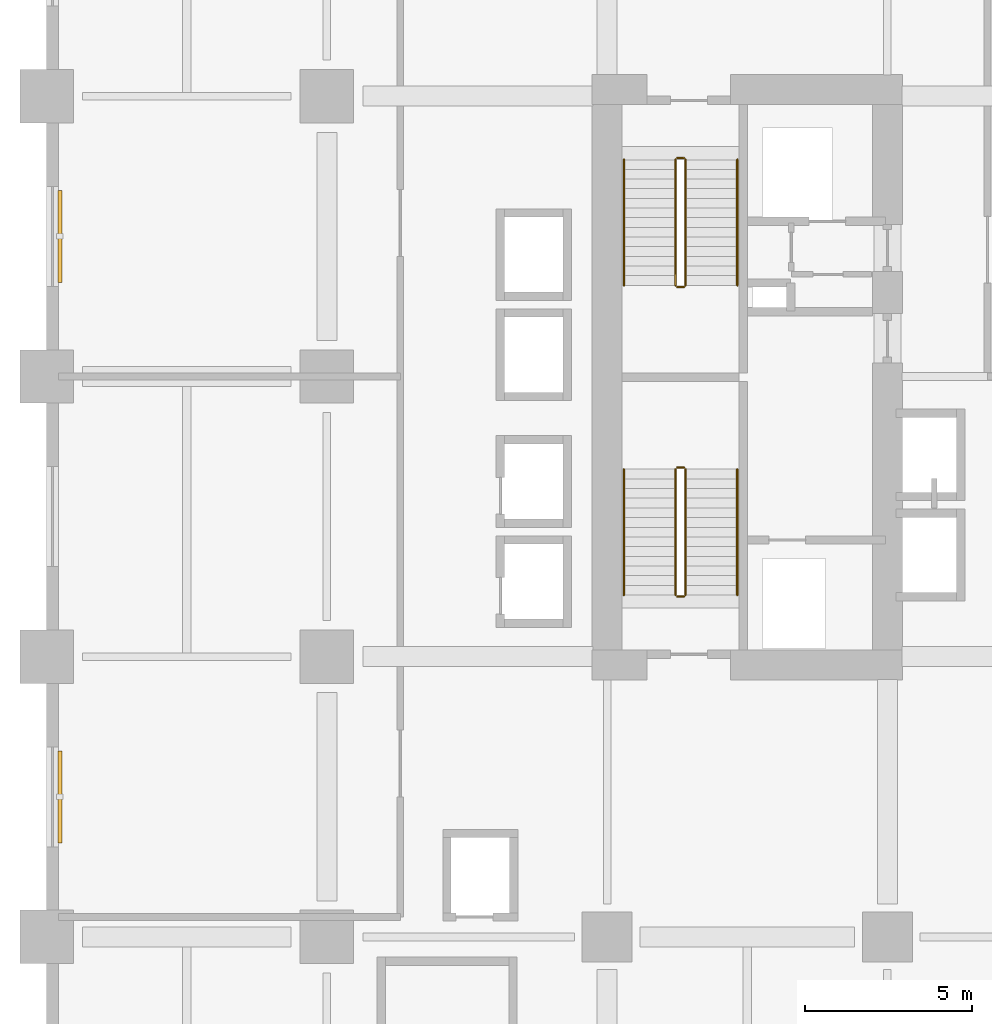
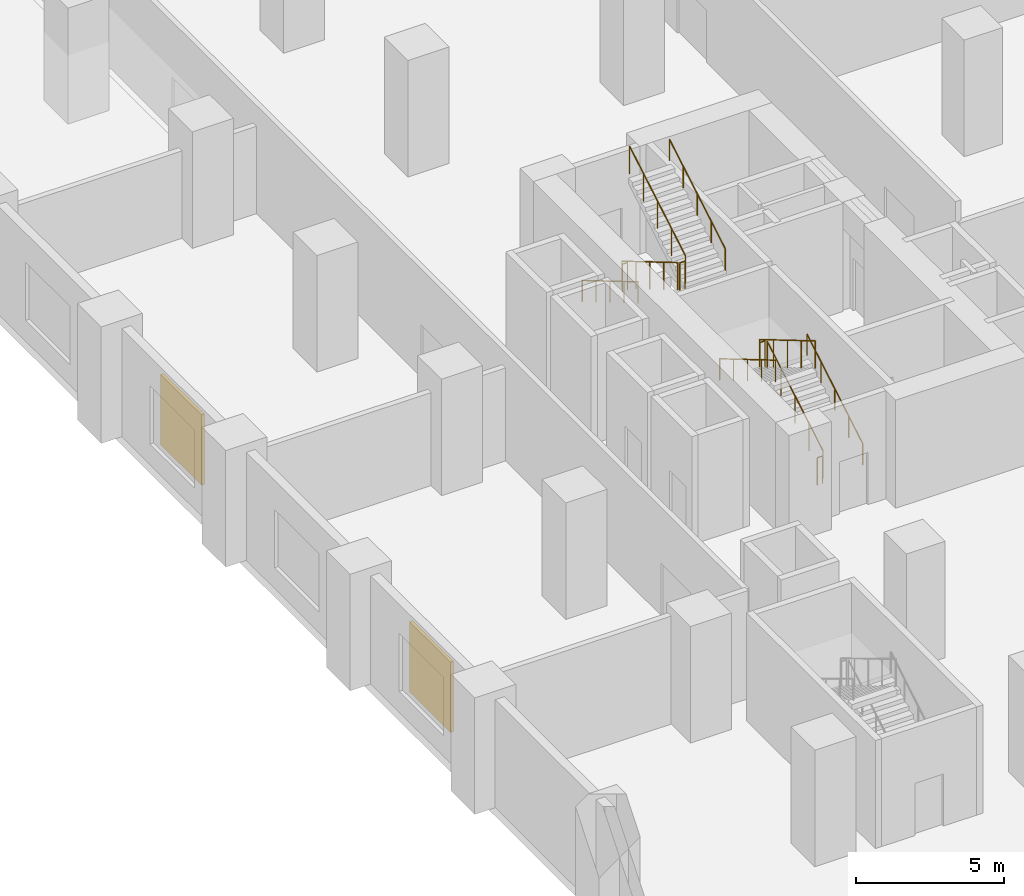
# One storey, part 21 of 22: 12 railings, 2 shading devices.
"""IFC4 building model written with IfcOpenShell, lengths in metres."""

from ifc_helpers import new_model, si_unit, direction, frame, origin, origin_2d, place, context, subcontext, project, spatial, rectangle, circle, extrude, material, layer, layer_set, type_object, element, save


model = new_model("IFC4")

# Units and contexts
model_context = context("Model", 3, precision=1e-05, world=origin(), true_north=direction((0.0, 1.0)))
body_context = subcontext(model_context, "Body", "Model", "MODEL_VIEW")
ifc_project = project(units=[si_unit("LENGTHUNIT", "METRE"), si_unit("AREAUNIT", "SQUARE_METRE"), si_unit("VOLUMEUNIT", "CUBIC_METRE"), si_unit("PLANEANGLEUNIT", "RADIAN"), si_unit("MASSUNIT", "GRAM", prefix="KILO")], contexts=[model_context])

# Site, building, storey
site_placement = place(None, origin())
site = spatial("IfcSite", under=ifc_project, at=site_placement, CompositionType="ELEMENT")
building_placement = place(site_placement, origin())
building = spatial("IfcBuilding", under=site, at=building_placement, Name="Koriwani Terraces Tower", CompositionType="ELEMENT")
storey_placement = place(building_placement, frame((0.0, 0.0, 6.0)))
storey = spatial("IfcBuildingStorey", under=building, at=storey_placement, Name="L01", CompositionType="ELEMENT", Elevation=6.0)

# Railings
ifc_material_1 = material(Name="Steel ASTM A572 Grade 50", Category="steel")
railing_type_1 = type_object("IfcRailingType", Name="GUARD_STAIR_WELL_1120", PredefinedType="GUARDRAIL", material=ifc_material_1)
railing_1_placement = place(storey_placement, frame((19.14990234375, 43.85009765625, 0.17138671875)))
element("IfcRailing", 1, at=railing_1_placement, inside=storey, type_object=railing_type_1, Name="L01 ST-W1 stair guard 1", PredefinedType="GUARDRAIL", context=body_context, shape_type="SweptSolid", body=[
    extrude(circle(Radius=0.02392578125, at=origin_2d()), frame((0.0, 0.0, 1.1259765625), z_axis=(0.0, 0.860848830602, 0.508860777473), x_axis=(-1.0, 0.0, 0.0)), (0.0, 0.0, 1.0), 4.37939453125),
    extrude(circle(Radius=0.02099609375, at=origin_2d()), origin(), (0.0, 0.0, 1.0), 1.101806640625),
    extrude(circle(Radius=0.02099609375, at=origin_2d()), frame((0.0, 0.9423828125, 0.55712890625)), (0.0, 0.0, 1.0), 1.101806640625),
    extrude(circle(Radius=0.02099609375, at=origin_2d()), frame((0.0, 1.885009765625, 1.1142578125)), (0.0, 0.0, 1.0), 1.101806640625),
    extrude(circle(Radius=0.02099609375, at=origin_2d()), frame((0.0, 2.82763671875, 1.67138671875)), (0.0, 0.0, 1.0), 1.101806640625),
    extrude(circle(Radius=0.02099609375, at=origin_2d()), frame((0.0, 3.77001953125, 2.228515625)), (0.0, 0.0, 1.0), 1.101806640625),
])
railing_2_placement = place(storey_placement, frame((19.10009765625, 47.669921875, 2.39990234375)))
element("IfcRailing", 2, at=railing_2_placement, inside=storey, type_object=railing_type_1, Name="L01 ST-W1 stair guard 2", PredefinedType="GUARDRAIL", context=body_context, shape_type="SweptSolid", body=[
    extrude(circle(Radius=0.02392578125, at=origin_2d()), frame((0.0, 0.0, 1.1259765625), z_axis=(-1.0, 0.0, 0.0), x_axis=(0.0, -1.0, 0.0)), (0.0, 0.0, 1.0), 0.2001953125),
    extrude(circle(Radius=0.02099609375, at=origin_2d()), origin(), (0.0, 0.0, 1.0), 1.101806640625),
    extrude(circle(Radius=0.02099609375, at=origin_2d()), frame((-0.2001953125, 0.0, 0.0)), (0.0, 0.0, 1.0), 1.101806640625),
])
railing_3_placement = place(storey_placement, frame((18.85009765625, 47.6201171875, 2.571533203125)))
element("IfcRailing", 3, at=railing_3_placement, inside=storey, type_object=railing_type_1, Name="L01 ST-W1 stair guard 3", PredefinedType="GUARDRAIL", context=body_context, shape_type="SweptSolid", body=[
    extrude(circle(Radius=0.02392578125, at=origin_2d()), frame((0.0, 0.0, 1.1259765625), z_axis=(0.0, -0.860848830602, 0.508860777473), x_axis=(1.0, 0.0, 0.0)), (0.0, 0.0, 1.0), 4.37939453125),
    extrude(circle(Radius=0.02099609375, at=origin_2d()), origin(), (0.0, 0.0, 1.0), 1.101806640625),
    extrude(circle(Radius=0.02099609375, at=origin_2d()), frame((0.0, -0.9423828125, 0.55712890625)), (0.0, 0.0, 1.0), 1.101806640625),
    extrude(circle(Radius=0.02099609375, at=origin_2d()), frame((0.0, -1.885009765625, 1.1142578125)), (0.0, 0.0, 1.0), 1.101806640625),
    extrude(circle(Radius=0.02099609375, at=origin_2d()), frame((0.0, -2.82763671875, 1.67138671875)), (0.0, 0.0, 1.0), 1.101806640625),
    extrude(circle(Radius=0.02099609375, at=origin_2d()), frame((0.0, -3.77001953125, 2.228515625)), (0.0, 0.0, 1.0), 1.101806640625),
])
railing_4_placement = place(storey_placement, frame((19.10009765625, 43.800048828125, 0.0)))
element("IfcRailing", 4, at=railing_4_placement, inside=storey, type_object=railing_type_1, Name="L01 ST-W1 stair guard 4", PredefinedType="GUARDRAIL", context=body_context, shape_type="SweptSolid", body=[
    extrude(circle(Radius=0.02392578125, at=origin_2d()), frame((0.0, 0.0, 1.1259765625), z_axis=(-1.0, 0.0, 0.0), x_axis=(0.0, -1.0, 0.0)), (0.0, 0.0, 1.0), 0.2001953125),
    extrude(circle(Radius=0.02099609375, at=origin_2d()), origin(), (0.0, 0.0, 1.0), 1.101806640625),
    extrude(circle(Radius=0.02099609375, at=origin_2d()), frame((-0.2001953125, 0.0, 0.0)), (0.0, 0.0, 1.0), 1.101806640625),
])
railing_5_placement = place(storey_placement, frame((18.85009765625, 56.89990234375, 0.17138671875)))
element("IfcRailing", 5, at=railing_5_placement, inside=storey, type_object=railing_type_1, Name="L01 ST-W2 stair guard 1", PredefinedType="GUARDRAIL", context=body_context, shape_type="SweptSolid", body=[
    extrude(circle(Radius=0.02392578125, at=origin_2d()), frame((0.0, 0.0, 1.1259765625), z_axis=(0.0, -0.860848830602, 0.508860777473), x_axis=(1.0, 0.0, 0.0)), (0.0, 0.0, 1.0), 4.37939453125),
    extrude(circle(Radius=0.02099609375, at=origin_2d()), origin(), (0.0, 0.0, 1.0), 1.101806640625),
    extrude(circle(Radius=0.02099609375, at=origin_2d()), frame((0.0, -0.9423828125, 0.55712890625)), (0.0, 0.0, 1.0), 1.101806640625),
    extrude(circle(Radius=0.02099609375, at=origin_2d()), frame((0.0, -1.885009765625, 1.1142578125)), (0.0, 0.0, 1.0), 1.101806640625),
    extrude(circle(Radius=0.02099609375, at=origin_2d()), frame((0.0, -2.82763671875, 1.67138671875)), (0.0, 0.0, 1.0), 1.101806640625),
    extrude(circle(Radius=0.02099609375, at=origin_2d()), frame((0.0, -3.77001953125, 2.228515625)), (0.0, 0.0, 1.0), 1.101806640625),
])
railing_6_placement = place(storey_placement, frame((18.89990234375, 53.080078125, 2.39990234375)))
element("IfcRailing", 6, at=railing_6_placement, inside=storey, type_object=railing_type_1, Name="L01 ST-W2 stair guard 2", PredefinedType="GUARDRAIL", context=body_context, shape_type="SweptSolid", body=[
    extrude(circle(Radius=0.02392578125, at=origin_2d()), frame((0.0, 0.0, 1.1259765625), z_axis=(1.0, 0.0, 0.0), x_axis=(0.0, 1.0, 0.0)), (0.0, 0.0, 1.0), 0.2001953125),
    extrude(circle(Radius=0.02099609375, at=origin_2d()), origin(), (0.0, 0.0, 1.0), 1.101806640625),
    extrude(circle(Radius=0.02099609375, at=origin_2d()), frame((0.2001953125, 0.0, 0.0)), (0.0, 0.0, 1.0), 1.101806640625),
])
railing_7_placement = place(storey_placement, frame((19.14990234375, 53.1298828125, 2.571533203125)))
element("IfcRailing", 7, at=railing_7_placement, inside=storey, type_object=railing_type_1, Name="L01 ST-W2 stair guard 3", PredefinedType="GUARDRAIL", context=body_context, shape_type="SweptSolid", body=[
    extrude(circle(Radius=0.02392578125, at=origin_2d()), frame((0.0, 0.0, 1.1259765625), z_axis=(0.0, 0.860848830602, 0.508860777473), x_axis=(-1.0, 0.0, 0.0)), (0.0, 0.0, 1.0), 4.37939453125),
    extrude(circle(Radius=0.02099609375, at=origin_2d()), origin(), (0.0, 0.0, 1.0), 1.101806640625),
    extrude(circle(Radius=0.02099609375, at=origin_2d()), frame((0.0, 0.9423828125, 0.55712890625)), (0.0, 0.0, 1.0), 1.101806640625),
    extrude(circle(Radius=0.02099609375, at=origin_2d()), frame((0.0, 1.885009765625, 1.1142578125)), (0.0, 0.0, 1.0), 1.101806640625),
    extrude(circle(Radius=0.02099609375, at=origin_2d()), frame((0.0, 2.82763671875, 1.67138671875)), (0.0, 0.0, 1.0), 1.101806640625),
    extrude(circle(Radius=0.02099609375, at=origin_2d()), frame((0.0, 3.77001953125, 2.228515625)), (0.0, 0.0, 1.0), 1.101806640625),
])
railing_8_placement = place(storey_placement, frame((18.89990234375, 56.949951171875, 0.0)))
element("IfcRailing", 8, at=railing_8_placement, inside=storey, type_object=railing_type_1, Name="L01 ST-W2 stair guard 4", PredefinedType="GUARDRAIL", context=body_context, shape_type="SweptSolid", body=[
    extrude(circle(Radius=0.02392578125, at=origin_2d()), frame((0.0, 0.0, 1.1259765625), z_axis=(1.0, 0.0, 0.0), x_axis=(0.0, 1.0, 0.0)), (0.0, 0.0, 1.0), 0.2001953125),
    extrude(circle(Radius=0.02099609375, at=origin_2d()), origin(), (0.0, 0.0, 1.0), 1.101806640625),
    extrude(circle(Radius=0.02099609375, at=origin_2d()), frame((0.2001953125, 0.0, 0.0)), (0.0, 0.0, 1.0), 1.101806640625),
])
railing_type_2 = type_object("IfcRailingType", Name="HANDRAIL_STAIR_920", PredefinedType="HANDRAIL", material=ifc_material_1)
railing_9_placement = place(storey_placement, frame((20.699951171875, 43.85009765625, 0.17138671875)))
element("IfcRailing", 9, at=railing_9_placement, inside=storey, type_object=railing_type_2, Name="L01 ST-W1 stair handrail 1", PredefinedType="HANDRAIL", context=body_context, shape_type="SweptSolid", body=[
    extrude(circle(Radius=0.02392578125, at=origin_2d()), frame((0.0, 0.0, 0.8759765625), z_axis=(0.0, 0.860848830602, 0.508860777473), x_axis=(-1.0, 0.0, 0.0)), (0.0, 0.0, 1.0), 4.37939453125),
    extrude(circle(Radius=0.02099609375, at=origin_2d()), origin(), (0.0, 0.0, 1.0), 0.851806640625),
    extrude(circle(Radius=0.02099609375, at=origin_2d()), frame((0.0, 0.9423828125, 0.55712890625)), (0.0, 0.0, 1.0), 0.851806640625),
    extrude(circle(Radius=0.02099609375, at=origin_2d()), frame((0.0, 1.885009765625, 1.1142578125)), (0.0, 0.0, 1.0), 0.851806640625),
    extrude(circle(Radius=0.02099609375, at=origin_2d()), frame((0.0, 2.82763671875, 1.67138671875)), (0.0, 0.0, 1.0), 0.851806640625),
    extrude(circle(Radius=0.02099609375, at=origin_2d()), frame((0.0, 3.77001953125, 2.228515625)), (0.0, 0.0, 1.0), 0.851806640625),
])
for number, where, name in (
    (10, (17.300048828125, 47.6201171875, 2.571533203125), "L01 ST-W1 stair handrail 2"),
    (11, (17.300048828125, 56.89990234375, 0.17138671875), "L01 ST-W2 stair handrail 1"),
):
    element("IfcRailing", number, at=place(storey_placement, frame(where)), inside=storey, type_object=railing_type_2, Name=name, PredefinedType="HANDRAIL", context=body_context, shape_type="SweptSolid", body=[
        extrude(circle(Radius=0.02392578125, at=origin_2d()), frame((0.0, 0.0, 0.8759765625), z_axis=(0.0, -0.860848830602, 0.508860777473), x_axis=(1.0, 0.0, 0.0)), (0.0, 0.0, 1.0), 4.37939453125),
        extrude(circle(Radius=0.02099609375, at=origin_2d()), origin(), (0.0, 0.0, 1.0), 0.851806640625),
        extrude(circle(Radius=0.02099609375, at=origin_2d()), frame((0.0, -0.9423828125, 0.55712890625)), (0.0, 0.0, 1.0), 0.851806640625),
        extrude(circle(Radius=0.02099609375, at=origin_2d()), frame((0.0, -1.885009765625, 1.1142578125)), (0.0, 0.0, 1.0), 0.851806640625),
        extrude(circle(Radius=0.02099609375, at=origin_2d()), frame((0.0, -2.82763671875, 1.67138671875)), (0.0, 0.0, 1.0), 0.851806640625),
        extrude(circle(Radius=0.02099609375, at=origin_2d()), frame((0.0, -3.77001953125, 2.228515625)), (0.0, 0.0, 1.0), 0.851806640625),
    ])
railing_10_placement = place(storey_placement, frame((20.699951171875, 53.1298828125, 2.571533203125)))
element("IfcRailing", 12, at=railing_10_placement, inside=storey, type_object=railing_type_2, Name="L01 ST-W2 stair handrail 2", PredefinedType="HANDRAIL", context=body_context, shape_type="SweptSolid", body=[
    extrude(circle(Radius=0.02392578125, at=origin_2d()), frame((0.0, 0.0, 0.8759765625), z_axis=(0.0, 0.860848830602, 0.508860777473), x_axis=(-1.0, 0.0, 0.0)), (0.0, 0.0, 1.0), 4.37939453125),
    extrude(circle(Radius=0.02099609375, at=origin_2d()), origin(), (0.0, 0.0, 1.0), 0.851806640625),
    extrude(circle(Radius=0.02099609375, at=origin_2d()), frame((0.0, 0.9423828125, 0.55712890625)), (0.0, 0.0, 1.0), 0.851806640625),
    extrude(circle(Radius=0.02099609375, at=origin_2d()), frame((0.0, 1.885009765625, 1.1142578125)), (0.0, 0.0, 1.0), 0.851806640625),
    extrude(circle(Radius=0.02099609375, at=origin_2d()), frame((0.0, 2.82763671875, 1.67138671875)), (0.0, 0.0, 1.0), 0.851806640625),
    extrude(circle(Radius=0.02099609375, at=origin_2d()), frame((0.0, 3.77001953125, 2.228515625)), (0.0, 0.0, 1.0), 0.851806640625),
])

# Shading devices
ifc_material_2 = material(Name="Extruded Terracotta Clay", Category="masonry")
ifc_layer = layer(ifc_material_2, 0.1201171875, Name="Extruded Terracotta Clay")
ifc_layer_set = layer_set([ifc_layer], Name="Extruded Terracotta Clay")
shading_device_type = type_object("IfcShadingDeviceType", Name="TERRACOTTA_BAGUETTE_SCREEN_2800", PredefinedType="USERDEFINED", material=ifc_layer_set)
for number, where, z_axis, x_axis, name in (
    (13, (0.405029296875, 37.800048828125, 0.775146484375), (0.0, 0.0, 1.0), (0.0, 1.0, 0.0), "L01 Extruded Terracotta Baguette Screen (W-12)"),
    (14, (0.405029296875, 54.60009765625, 0.775146484375), (0.0, 0.0, 1.0), (0.0, 1.0, 0.0), "L01 Extruded Terracotta Baguette Screen (W-18)"),
):
    element("IfcShadingDevice", number, at=place(storey_placement, frame(where, z_axis=z_axis, x_axis=x_axis)), inside=storey, type_object=shading_device_type, Name=name, ObjectType="BAGUETTE", PredefinedType="USERDEFINED", context=body_context, shape_type="SweptSolid", body=[
        extrude(rectangle(XDim=2.760009765625, YDim=0.1201171875, at=origin_2d()), origin(), (0.0, 0.0, 1.0), 2.89990234375),
    ])

save(model, "model.ifc")
